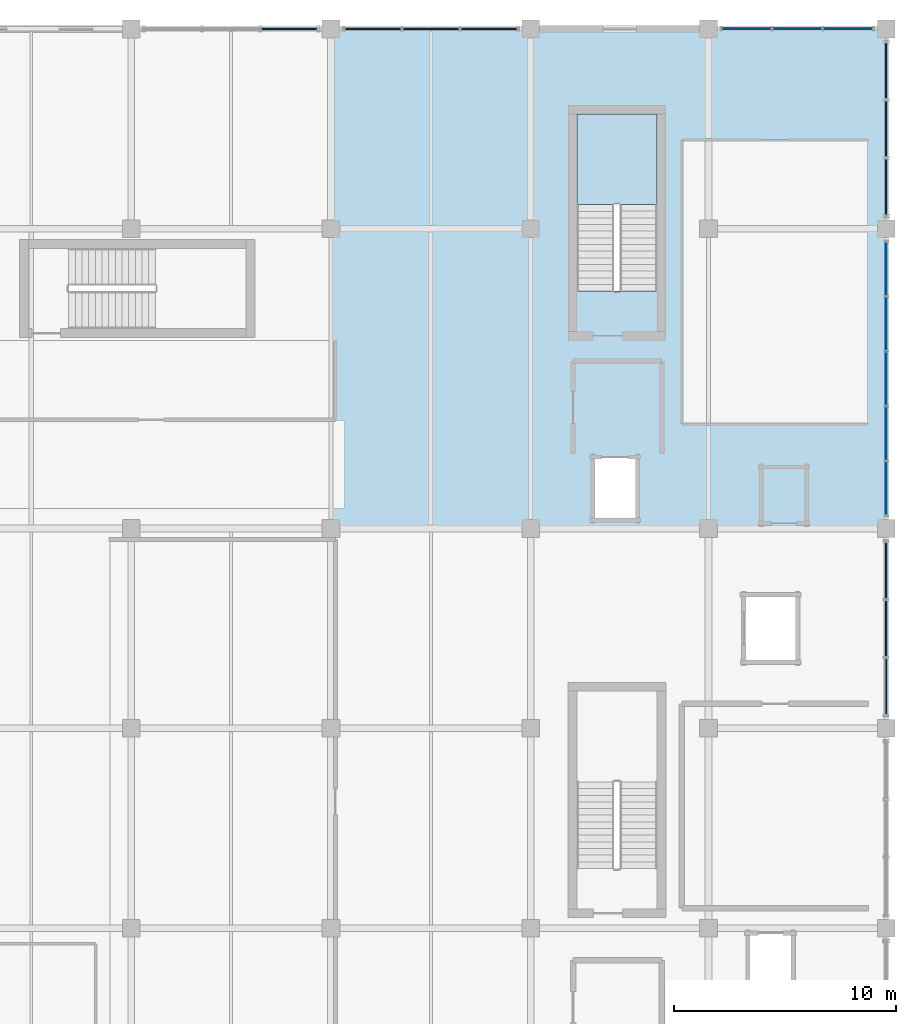
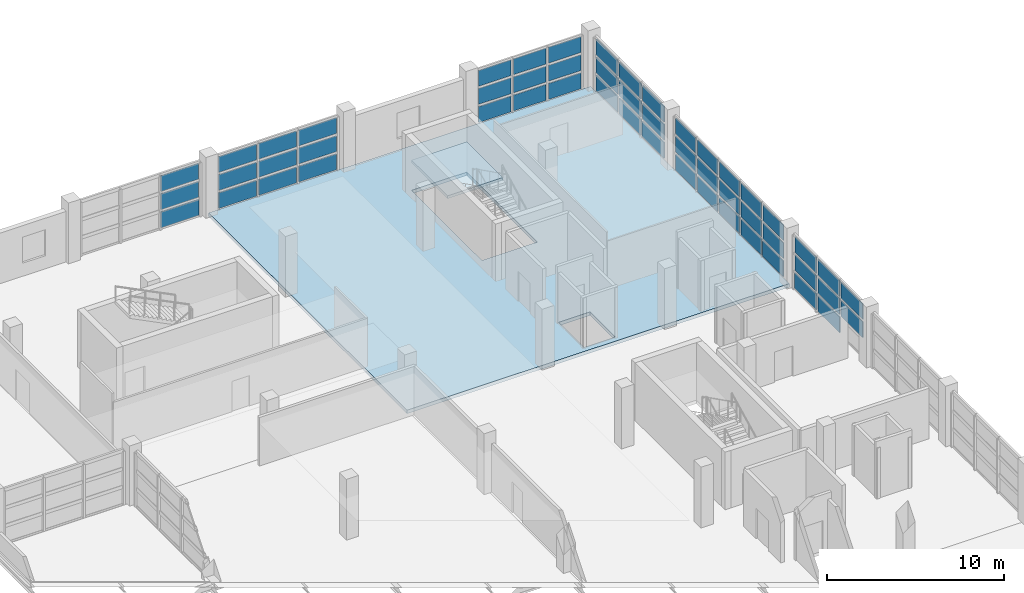
# One storey, part 115 of 136: 53 plates, 2 slabs, 7 elements without a shape of their own.
"""IFC4 building model written with IfcOpenShell, lengths in metres."""

from ifc_helpers import new_model, si_unit, direction, frame, origin, origin_2d, place, context, subcontext, project, spatial, polyline, rectangle, outline, extrude, material, layer, layer_set, type_object, element, aggregate, save


model = new_model("IFC4")

# Units and contexts
model_context = context("Model", 3, precision=1e-05, world=origin(), true_north=direction((0.0, 1.0)))
body_context = subcontext(model_context, "Body", "Model", "MODEL_VIEW")
ifc_project = project(units=[si_unit("LENGTHUNIT", "METRE"), si_unit("AREAUNIT", "SQUARE_METRE"), si_unit("VOLUMEUNIT", "CUBIC_METRE"), si_unit("PLANEANGLEUNIT", "RADIAN"), si_unit("MASSUNIT", "GRAM", prefix="KILO")], contexts=[model_context])

# Site, building, storey
site_placement = place(None, origin())
site = spatial("IfcSite", under=ifc_project, at=site_placement, CompositionType="ELEMENT")
building_placement = place(site_placement, origin())
building = spatial("IfcBuilding", under=site, at=building_placement, Name="Chuanluo Vaults Station", CompositionType="ELEMENT")
storey_placement = place(building_placement, frame((0.0, 0.0, 6.60009765625)))
storey = spatial("IfcBuildingStorey", under=building, at=storey_placement, Name="L01", CompositionType="ELEMENT", Elevation=6.60009765625)

# Curtain wall, plates
ifc_material_1 = material(Name="Anodised aluminium 6063-T6", Category="aluminium")
curtain_wall_type_1 = type_object("IfcCurtainWallType", Name="CW-SYS-23", PredefinedType="NOTDEFINED", material=ifc_material_1)
curtain_wall_1_placement = place(storey_placement, origin())
curtain_wall_1 = element("IfcCurtainWall", 1, at=curtain_wall_1_placement, inside=storey, type_object=curtain_wall_type_1, Name="Operations L01 facade CW", PredefinedType="NOTDEFINED")
ifc_material_2 = material(Name="Ceramic-fritted spandrel glass", Category="glass")
ifc_layer_1 = layer(ifc_material_2, 0.06396484375)
ifc_layer_set_1 = layer_set([ifc_layer_1], Name="Ceramic-fritted spandrel glass")
plate_type_1 = type_object("IfcPlateType", Name="CWP-SPN-42", PredefinedType="SHEET", material=ifc_layer_set_1)
plate_1_placement = place(storey_placement, frame((164.88330078125, 126.0, 0.080078125), z_axis=(0.0, 0.0, 1.0), x_axis=(1.0, 0.0, 0.0)))
plate_1 = element("IfcPlate", 2, at=plate_1_placement, type_object=plate_type_1, Name="Operations L01 facade CW glazed panel 1.1", PredefinedType="SHEET", context=body_context, shape_type="SweptSolid", body=[
    extrude(rectangle(XDim=2.456787109375, YDim=0.06396484375, at=origin_2d()), origin(), (0.0, 0.0, 1.0), 1.090087890625),
])
plate_2_placement = place(storey_placement, frame((167.5, 126.0, 0.080078125), z_axis=(0.0, 0.0, 1.0), x_axis=(1.0, 0.0, 0.0)))
plate_2 = element("IfcPlate", 3, at=plate_2_placement, type_object=plate_type_1, Name="Operations L01 facade CW glazed panel 2.1", PredefinedType="SHEET", context=body_context, shape_type="SweptSolid", body=[
    extrude(rectangle(XDim=2.456787109375, YDim=0.06396484375, at=origin_2d()), origin(), (0.0, 0.0, 1.0), 1.090087890625),
])
plate_3_placement = place(storey_placement, frame((170.11669921875, 126.0, 0.080078125), z_axis=(0.0, 0.0, 1.0), x_axis=(1.0, 0.0, 0.0)))
plate_3 = element("IfcPlate", 4, at=plate_3_placement, type_object=plate_type_1, Name="Operations L01 facade CW glazed panel 3.1", PredefinedType="SHEET", context=body_context, shape_type="SweptSolid", body=[
    extrude(rectangle(XDim=2.456787109375, YDim=0.06396484375, at=origin_2d()), origin(), (0.0, 0.0, 1.0), 1.090087890625),
])

ifc_material_3 = material(Name="Anodised aluminium 6063-T6", Category="aluminium")
curtain_wall_type_2 = type_object("IfcCurtainWallType", Name="CW-SYS-27", PredefinedType="NOTDEFINED", material=ifc_material_3)
curtain_wall_2_placement = place(storey_placement, origin())
curtain_wall_2 = element("IfcCurtainWall", 5, at=curtain_wall_2_placement, inside=storey, type_object=curtain_wall_type_2, Name="Operations L01 facade CW", PredefinedType="NOTDEFINED")
plate_4_placement = place(storey_placement, frame((188.0, 101.61669921875, 0.080078125), z_axis=(0.0, 0.0, 1.0), x_axis=(0.0, -1.0, 0.0)))
plate_4 = element("IfcPlate", 6, at=plate_4_placement, type_object=plate_type_1, Name="Operations L01 facade CW glazed panel 1.1", PredefinedType="SHEET", context=body_context, shape_type="SweptSolid", body=[
    extrude(rectangle(XDim=2.456787109375, YDim=0.06396484375, at=origin_2d()), origin(), (0.0, 0.0, 1.0), 1.090087890625),
])
plate_5_placement = place(storey_placement, frame((188.0, 99.0, 0.080078125), z_axis=(0.0, 0.0, 1.0), x_axis=(0.0, -1.0, 0.0)))
plate_5 = element("IfcPlate", 7, at=plate_5_placement, type_object=plate_type_1, Name="Operations L01 facade CW glazed panel 2.1", PredefinedType="SHEET", context=body_context, shape_type="SweptSolid", body=[
    extrude(rectangle(XDim=2.456787109375, YDim=0.06396484375, at=origin_2d()), origin(), (0.0, 0.0, 1.0), 1.090087890625),
])

ifc_material_4 = material(Name="Anodised aluminium 6063-T6", Category="aluminium")
curtain_wall_type_3 = type_object("IfcCurtainWallType", Name="CW-SYS-01", PredefinedType="NOTDEFINED", material=ifc_material_4)
curtain_wall_3_placement = place(storey_placement, origin())
curtain_wall_3 = element("IfcCurtainWall", 8, at=curtain_wall_3_placement, inside=storey, type_object=curtain_wall_type_3, Name="Operations L01 facade CW", PredefinedType="NOTDEFINED")
plate_6_placement = place(storey_placement, frame((188.0, 124.11669921875, 0.080078125), z_axis=(0.0, 0.0, 1.0), x_axis=(0.0, -1.0, 0.0)))
plate_6 = element("IfcPlate", 9, at=plate_6_placement, type_object=plate_type_1, Name="Operations L01 facade CW glazed panel 1.1", PredefinedType="SHEET", context=body_context, shape_type="SweptSolid", body=[
    extrude(rectangle(XDim=2.456787109375, YDim=0.06396484375, at=origin_2d()), origin(), (0.0, 0.0, 1.0), 1.090087890625),
])
plate_7_placement = place(storey_placement, frame((188.0, 121.5, 0.080078125), z_axis=(0.0, 0.0, 1.0), x_axis=(0.0, -1.0, 0.0)))
plate_7 = element("IfcPlate", 10, at=plate_7_placement, type_object=plate_type_1, Name="Operations L01 facade CW glazed panel 2.1", PredefinedType="SHEET", context=body_context, shape_type="SweptSolid", body=[
    extrude(rectangle(XDim=2.456787109375, YDim=0.06396484375, at=origin_2d()), origin(), (0.0, 0.0, 1.0), 1.090087890625),
])
plate_8_placement = place(storey_placement, frame((188.0, 118.88330078125, 0.080078125), z_axis=(0.0, 0.0, 1.0), x_axis=(0.0, -1.0, 0.0)))
plate_8 = element("IfcPlate", 11, at=plate_8_placement, type_object=plate_type_1, Name="Operations L01 facade CW glazed panel 3.1", PredefinedType="SHEET", context=body_context, shape_type="SweptSolid", body=[
    extrude(rectangle(XDim=2.456787109375, YDim=0.06396484375, at=origin_2d()), origin(), (0.0, 0.0, 1.0), 1.090087890625),
])

# Curtain wall, plate
ifc_material_5 = material(Name="Anodised aluminium 6063-T6", Category="aluminium")
curtain_wall_type_4 = type_object("IfcCurtainWallType", Name="CW-SYS-22", PredefinedType="NOTDEFINED", material=ifc_material_5)
curtain_wall_4_placement = place(storey_placement, origin())
curtain_wall_4 = element("IfcCurtainWall", 12, at=curtain_wall_4_placement, inside=storey, type_object=curtain_wall_type_4, Name="Operations L01 facade CW", PredefinedType="NOTDEFINED")
ifc_material_6 = material(Name="Ceramic-fritted spandrel glass", Category="glass")
ifc_layer_2 = layer(ifc_material_6, 0.070068359375)
ifc_layer_set_2 = layer_set([ifc_layer_2], Name="Ceramic-fritted spandrel glass")
plate_type_2 = type_object("IfcPlateType", Name="CWP-SPN-50", PredefinedType="SHEET", material=ifc_layer_set_2)
plate_9_placement = place(storey_placement, frame((161.11669921875, 126.0, 0.080078125), z_axis=(0.0, 0.0, 1.0), x_axis=(1.0, 0.0, 0.0)))
plate_9 = element("IfcPlate", 13, at=plate_9_placement, type_object=plate_type_2, Name="Operations L01 facade CW glazed panel 3.1", PredefinedType="SHEET", context=body_context, shape_type="SweptSolid", body=[
    extrude(rectangle(XDim=2.456787109375, YDim=0.070068359375, at=origin_2d()), origin(), (0.0, 0.0, 1.0), 1.090087890625),
])

# Curtain wall, plates
ifc_material_7 = material(Name="Anodised aluminium 6063-T6", Category="aluminium")
curtain_wall_type_5 = type_object("IfcCurtainWallType", Name="CW-SYS-24", PredefinedType="NOTDEFINED", material=ifc_material_7)
curtain_wall_5_placement = place(storey_placement, origin())
curtain_wall_5 = element("IfcCurtainWall", 14, at=curtain_wall_5_placement, inside=storey, type_object=curtain_wall_type_5, Name="Operations L01 facade CW", PredefinedType="NOTDEFINED")
plate_10_placement = place(storey_placement, frame((181.716796875, 126.0, 0.080078125), z_axis=(0.0, 0.0, 1.0), x_axis=(1.0, 0.0, 0.0)))
plate_10 = element("IfcPlate", 15, at=plate_10_placement, type_object=plate_type_2, Name="Operations L01 facade CW glazed panel 1.1", PredefinedType="SHEET", context=body_context, shape_type="SweptSolid", body=[
    extrude(rectangle(XDim=2.123291015625, YDim=0.070068359375, at=origin_2d()), origin(), (0.0, 0.0, 1.0), 1.090087890625),
])
plate_11_placement = place(storey_placement, frame((184.0, 126.0, 0.080078125), z_axis=(0.0, 0.0, 1.0), x_axis=(1.0, 0.0, 0.0)))
plate_11 = element("IfcPlate", 16, at=plate_11_placement, type_object=plate_type_2, Name="Operations L01 facade CW glazed panel 2.1", PredefinedType="SHEET", context=body_context, shape_type="SweptSolid", body=[
    extrude(rectangle(XDim=2.123291015625, YDim=0.070068359375, at=origin_2d()), origin(), (0.0, 0.0, 1.0), 1.090087890625),
])
plate_12_placement = place(storey_placement, frame((186.283203125, 126.0, 0.080078125), z_axis=(0.0, 0.0, 1.0), x_axis=(1.0, 0.0, 0.0)))
plate_12 = element("IfcPlate", 17, at=plate_12_placement, type_object=plate_type_2, Name="Operations L01 facade CW glazed panel 3.1", PredefinedType="SHEET", context=body_context, shape_type="SweptSolid", body=[
    extrude(rectangle(XDim=2.123291015625, YDim=0.070068359375, at=origin_2d()), origin(), (0.0, 0.0, 1.0), 1.090087890625),
])

ifc_material_8 = material(Name="Anodised aluminium 6063-T6", Category="aluminium")
curtain_wall_type_6 = type_object("IfcCurtainWallType", Name="CW-SYS-28", PredefinedType="NOTDEFINED", material=ifc_material_8)
curtain_wall_6_placement = place(storey_placement, origin())
curtain_wall_6 = element("IfcCurtainWall", 18, at=curtain_wall_6_placement, inside=storey, type_object=curtain_wall_type_6, Name="Operations L01 facade CW", PredefinedType="NOTDEFINED")
plate_13_placement = place(storey_placement, frame((188.0, 115.18994140625, 0.080078125), z_axis=(0.0, 0.0, 1.0), x_axis=(0.0, -1.0, 0.0)))
plate_13 = element("IfcPlate", 19, at=plate_13_placement, type_object=plate_type_2, Name="Operations L01 facade CW glazed panel 1.1", PredefinedType="SHEET", context=body_context, shape_type="SweptSolid", body=[
    extrude(rectangle(XDim=2.31005859375, YDim=0.070068359375, at=origin_2d()), origin(), (0.0, 0.0, 1.0), 1.090087890625),
])
plate_14_placement = place(storey_placement, frame((188.0, 112.719970703125, 0.080078125), z_axis=(0.0, 0.0, 1.0), x_axis=(0.0, -1.0, 0.0)))
plate_14 = element("IfcPlate", 20, at=plate_14_placement, type_object=plate_type_2, Name="Operations L01 facade CW glazed panel 2.1", PredefinedType="SHEET", context=body_context, shape_type="SweptSolid", body=[
    extrude(rectangle(XDim=2.31005859375, YDim=0.070068359375, at=origin_2d()), origin(), (0.0, 0.0, 1.0), 1.090087890625),
])
plate_15_placement = place(storey_placement, frame((188.0, 110.25, 0.080078125), z_axis=(0.0, 0.0, 1.0), x_axis=(0.0, -1.0, 0.0)))
plate_15 = element("IfcPlate", 21, at=plate_15_placement, type_object=plate_type_2, Name="Operations L01 facade CW glazed panel 3.1", PredefinedType="SHEET", context=body_context, shape_type="SweptSolid", body=[
    extrude(rectangle(XDim=2.31005859375, YDim=0.070068359375, at=origin_2d()), origin(), (0.0, 0.0, 1.0), 1.090087890625),
])
plate_16_placement = place(storey_placement, frame((188.0, 107.780029296875, 0.080078125), z_axis=(0.0, 0.0, 1.0), x_axis=(0.0, -1.0, 0.0)))
plate_16 = element("IfcPlate", 22, at=plate_16_placement, type_object=plate_type_2, Name="Operations L01 facade CW glazed panel 4.1", PredefinedType="SHEET", context=body_context, shape_type="SweptSolid", body=[
    extrude(rectangle(XDim=2.31005859375, YDim=0.070068359375, at=origin_2d()), origin(), (0.0, 0.0, 1.0), 1.090087890625),
])
plate_17_placement = place(storey_placement, frame((188.0, 105.31005859375, 0.080078125), z_axis=(0.0, 0.0, 1.0), x_axis=(0.0, -1.0, 0.0)))
plate_17 = element("IfcPlate", 23, at=plate_17_placement, type_object=plate_type_2, Name="Operations L01 facade CW glazed panel 5.1", PredefinedType="SHEET", context=body_context, shape_type="SweptSolid", body=[
    extrude(rectangle(XDim=2.31005859375, YDim=0.070068359375, at=origin_2d()), origin(), (0.0, 0.0, 1.0), 1.090087890625),
])

# Plate
ifc_material_9 = material(Name="Double-silver Low-E laminated glass", Category="glass")
ifc_layer_3 = layer(ifc_material_9, 0.0439453125)
ifc_layer_set_3 = layer_set([ifc_layer_3], Name="Double-silver Low-E laminated glass")
plate_type_3 = type_object("IfcPlateType", Name="CWP-VIS-28", PredefinedType="CURTAIN_PANEL", material=ifc_layer_set_3)
plate_18_placement = place(storey_placement, frame((181.716796875, 126.0, 1.330078125), z_axis=(0.0, 0.0, 1.0), x_axis=(1.0, 0.0, 0.0)))
plate_18 = element("IfcPlate", 24, at=plate_18_placement, type_object=plate_type_3, Name="Operations L01 facade CW glazed panel 1.2", PredefinedType="CURTAIN_PANEL", context=body_context, shape_type="SweptSolid", body=[
    extrude(rectangle(XDim=2.123291015625, YDim=0.0439453125, at=origin_2d()), origin(), (0.0, 0.0, 1.0), 1.090087890625),
])

plate_19_placement = place(storey_placement, frame((181.716796875, 126.0, 2.580078125), z_axis=(0.0, 0.0, 1.0), x_axis=(1.0, 0.0, 0.0)))
plate_19 = element("IfcPlate", 25, at=plate_19_placement, type_object=plate_type_3, Name="Operations L01 facade CW glazed panel 1.3", PredefinedType="CURTAIN_PANEL", context=body_context, shape_type="SweptSolid", body=[
    extrude(rectangle(XDim=2.123291015625, YDim=0.0439453125, at=origin_2d()), origin(), (0.0, 0.0, 1.0), 1.090087890625),
])

plate_20_placement = place(storey_placement, frame((184.0, 126.0, 1.330078125), z_axis=(0.0, 0.0, 1.0), x_axis=(1.0, 0.0, 0.0)))
plate_20 = element("IfcPlate", 26, at=plate_20_placement, type_object=plate_type_3, Name="Operations L01 facade CW glazed panel 2.2", PredefinedType="CURTAIN_PANEL", context=body_context, shape_type="SweptSolid", body=[
    extrude(rectangle(XDim=2.123291015625, YDim=0.0439453125, at=origin_2d()), origin(), (0.0, 0.0, 1.0), 1.090087890625),
])

plate_21_placement = place(storey_placement, frame((184.0, 126.0, 2.580078125), z_axis=(0.0, 0.0, 1.0), x_axis=(1.0, 0.0, 0.0)))
plate_21 = element("IfcPlate", 27, at=plate_21_placement, type_object=plate_type_3, Name="Operations L01 facade CW glazed panel 2.3", PredefinedType="CURTAIN_PANEL", context=body_context, shape_type="SweptSolid", body=[
    extrude(rectangle(XDim=2.123291015625, YDim=0.0439453125, at=origin_2d()), origin(), (0.0, 0.0, 1.0), 1.090087890625),
])

plate_22_placement = place(storey_placement, frame((186.283203125, 126.0, 1.330078125), z_axis=(0.0, 0.0, 1.0), x_axis=(1.0, 0.0, 0.0)))
plate_22 = element("IfcPlate", 28, at=plate_22_placement, type_object=plate_type_3, Name="Operations L01 facade CW glazed panel 3.2", PredefinedType="CURTAIN_PANEL", context=body_context, shape_type="SweptSolid", body=[
    extrude(rectangle(XDim=2.123291015625, YDim=0.0439453125, at=origin_2d()), origin(), (0.0, 0.0, 1.0), 1.090087890625),
])

plate_23_placement = place(storey_placement, frame((186.283203125, 126.0, 2.580078125), z_axis=(0.0, 0.0, 1.0), x_axis=(1.0, 0.0, 0.0)))
plate_23 = element("IfcPlate", 29, at=plate_23_placement, type_object=plate_type_3, Name="Operations L01 facade CW glazed panel 3.3", PredefinedType="CURTAIN_PANEL", context=body_context, shape_type="SweptSolid", body=[
    extrude(rectangle(XDim=2.123291015625, YDim=0.0439453125, at=origin_2d()), origin(), (0.0, 0.0, 1.0), 1.090087890625),
])

aggregate(curtain_wall_5, [plate_10, plate_18, plate_19, plate_11, plate_20, plate_21, plate_12, plate_22, plate_23])

plate_24_placement = place(storey_placement, frame((188.0, 115.18994140625, 1.330078125), z_axis=(0.0, 0.0, 1.0), x_axis=(0.0, -1.0, 0.0)))
plate_24 = element("IfcPlate", 30, at=plate_24_placement, type_object=plate_type_3, Name="Operations L01 facade CW glazed panel 1.2", PredefinedType="CURTAIN_PANEL", context=body_context, shape_type="SweptSolid", body=[
    extrude(rectangle(XDim=2.31005859375, YDim=0.0439453125, at=origin_2d()), origin(), (0.0, 0.0, 1.0), 1.090087890625),
])

plate_25_placement = place(storey_placement, frame((188.0, 115.18994140625, 2.580078125), z_axis=(0.0, 0.0, 1.0), x_axis=(0.0, -1.0, 0.0)))
plate_25 = element("IfcPlate", 31, at=plate_25_placement, type_object=plate_type_3, Name="Operations L01 facade CW glazed panel 1.3", PredefinedType="CURTAIN_PANEL", context=body_context, shape_type="SweptSolid", body=[
    extrude(rectangle(XDim=2.31005859375, YDim=0.0439453125, at=origin_2d()), origin(), (0.0, 0.0, 1.0), 1.090087890625),
])

plate_26_placement = place(storey_placement, frame((188.0, 112.719970703125, 1.330078125), z_axis=(0.0, 0.0, 1.0), x_axis=(0.0, -1.0, 0.0)))
plate_26 = element("IfcPlate", 32, at=plate_26_placement, type_object=plate_type_3, Name="Operations L01 facade CW glazed panel 2.2", PredefinedType="CURTAIN_PANEL", context=body_context, shape_type="SweptSolid", body=[
    extrude(rectangle(XDim=2.31005859375, YDim=0.0439453125, at=origin_2d()), origin(), (0.0, 0.0, 1.0), 1.090087890625),
])

plate_27_placement = place(storey_placement, frame((188.0, 112.719970703125, 2.580078125), z_axis=(0.0, 0.0, 1.0), x_axis=(0.0, -1.0, 0.0)))
plate_27 = element("IfcPlate", 33, at=plate_27_placement, type_object=plate_type_3, Name="Operations L01 facade CW glazed panel 2.3", PredefinedType="CURTAIN_PANEL", context=body_context, shape_type="SweptSolid", body=[
    extrude(rectangle(XDim=2.31005859375, YDim=0.0439453125, at=origin_2d()), origin(), (0.0, 0.0, 1.0), 1.090087890625),
])

plate_28_placement = place(storey_placement, frame((188.0, 110.25, 1.330078125), z_axis=(0.0, 0.0, 1.0), x_axis=(0.0, -1.0, 0.0)))
plate_28 = element("IfcPlate", 34, at=plate_28_placement, type_object=plate_type_3, Name="Operations L01 facade CW glazed panel 3.2", PredefinedType="CURTAIN_PANEL", context=body_context, shape_type="SweptSolid", body=[
    extrude(rectangle(XDim=2.31005859375, YDim=0.0439453125, at=origin_2d()), origin(), (0.0, 0.0, 1.0), 1.090087890625),
])

plate_29_placement = place(storey_placement, frame((188.0, 110.25, 2.580078125), z_axis=(0.0, 0.0, 1.0), x_axis=(0.0, -1.0, 0.0)))
plate_29 = element("IfcPlate", 35, at=plate_29_placement, type_object=plate_type_3, Name="Operations L01 facade CW glazed panel 3.3", PredefinedType="CURTAIN_PANEL", context=body_context, shape_type="SweptSolid", body=[
    extrude(rectangle(XDim=2.31005859375, YDim=0.0439453125, at=origin_2d()), origin(), (0.0, 0.0, 1.0), 1.090087890625),
])

plate_30_placement = place(storey_placement, frame((188.0, 107.780029296875, 1.330078125), z_axis=(0.0, 0.0, 1.0), x_axis=(0.0, -1.0, 0.0)))
plate_30 = element("IfcPlate", 36, at=plate_30_placement, type_object=plate_type_3, Name="Operations L01 facade CW glazed panel 4.2", PredefinedType="CURTAIN_PANEL", context=body_context, shape_type="SweptSolid", body=[
    extrude(rectangle(XDim=2.31005859375, YDim=0.0439453125, at=origin_2d()), origin(), (0.0, 0.0, 1.0), 1.090087890625),
])

plate_31_placement = place(storey_placement, frame((188.0, 107.780029296875, 2.580078125), z_axis=(0.0, 0.0, 1.0), x_axis=(0.0, -1.0, 0.0)))
plate_31 = element("IfcPlate", 37, at=plate_31_placement, type_object=plate_type_3, Name="Operations L01 facade CW glazed panel 4.3", PredefinedType="CURTAIN_PANEL", context=body_context, shape_type="SweptSolid", body=[
    extrude(rectangle(XDim=2.31005859375, YDim=0.0439453125, at=origin_2d()), origin(), (0.0, 0.0, 1.0), 1.090087890625),
])

plate_32_placement = place(storey_placement, frame((188.0, 105.31005859375, 1.330078125), z_axis=(0.0, 0.0, 1.0), x_axis=(0.0, -1.0, 0.0)))
plate_32 = element("IfcPlate", 38, at=plate_32_placement, type_object=plate_type_3, Name="Operations L01 facade CW glazed panel 5.2", PredefinedType="CURTAIN_PANEL", context=body_context, shape_type="SweptSolid", body=[
    extrude(rectangle(XDim=2.31005859375, YDim=0.0439453125, at=origin_2d()), origin(), (0.0, 0.0, 1.0), 1.090087890625),
])

plate_33_placement = place(storey_placement, frame((188.0, 105.31005859375, 2.580078125), z_axis=(0.0, 0.0, 1.0), x_axis=(0.0, -1.0, 0.0)))
plate_33 = element("IfcPlate", 39, at=plate_33_placement, type_object=plate_type_3, Name="Operations L01 facade CW glazed panel 5.3", PredefinedType="CURTAIN_PANEL", context=body_context, shape_type="SweptSolid", body=[
    extrude(rectangle(XDim=2.31005859375, YDim=0.0439453125, at=origin_2d()), origin(), (0.0, 0.0, 1.0), 1.090087890625),
])

aggregate(curtain_wall_6, [plate_13, plate_24, plate_25, plate_14, plate_26, plate_27, plate_15, plate_28, plate_29, plate_16, plate_30, plate_31, plate_17, plate_32, plate_33])

ifc_material_10 = material(Name="Double-silver Low-E laminated glass", Category="glass")
ifc_layer_4 = layer(ifc_material_10, 0.048095703125)
ifc_layer_set_4 = layer_set([ifc_layer_4], Name="Double-silver Low-E laminated glass")
plate_type_4 = type_object("IfcPlateType", Name="CWP-VIS-32", PredefinedType="CURTAIN_PANEL", material=ifc_layer_set_4)
plate_34_placement = place(storey_placement, frame((164.88330078125, 126.0, 1.330078125), z_axis=(0.0, 0.0, 1.0), x_axis=(1.0, 0.0, 0.0)))
plate_34 = element("IfcPlate", 40, at=plate_34_placement, type_object=plate_type_4, Name="Operations L01 facade CW glazed panel 1.2", PredefinedType="CURTAIN_PANEL", context=body_context, shape_type="SweptSolid", body=[
    extrude(rectangle(XDim=2.456787109375, YDim=0.048095703125, at=origin_2d()), origin(), (0.0, 0.0, 1.0), 1.090087890625),
])

plate_35_placement = place(storey_placement, frame((164.88330078125, 126.0, 2.580078125), z_axis=(0.0, 0.0, 1.0), x_axis=(1.0, 0.0, 0.0)))
plate_35 = element("IfcPlate", 41, at=plate_35_placement, type_object=plate_type_4, Name="Operations L01 facade CW glazed panel 1.3", PredefinedType="CURTAIN_PANEL", context=body_context, shape_type="SweptSolid", body=[
    extrude(rectangle(XDim=2.456787109375, YDim=0.048095703125, at=origin_2d()), origin(), (0.0, 0.0, 1.0), 1.090087890625),
])

plate_36_placement = place(storey_placement, frame((167.5, 126.0, 1.330078125), z_axis=(0.0, 0.0, 1.0), x_axis=(1.0, 0.0, 0.0)))
plate_36 = element("IfcPlate", 42, at=plate_36_placement, type_object=plate_type_4, Name="Operations L01 facade CW glazed panel 2.2", PredefinedType="CURTAIN_PANEL", context=body_context, shape_type="SweptSolid", body=[
    extrude(rectangle(XDim=2.456787109375, YDim=0.048095703125, at=origin_2d()), origin(), (0.0, 0.0, 1.0), 1.090087890625),
])

plate_37_placement = place(storey_placement, frame((167.5, 126.0, 2.580078125), z_axis=(0.0, 0.0, 1.0), x_axis=(1.0, 0.0, 0.0)))
plate_37 = element("IfcPlate", 43, at=plate_37_placement, type_object=plate_type_4, Name="Operations L01 facade CW glazed panel 2.3", PredefinedType="CURTAIN_PANEL", context=body_context, shape_type="SweptSolid", body=[
    extrude(rectangle(XDim=2.456787109375, YDim=0.048095703125, at=origin_2d()), origin(), (0.0, 0.0, 1.0), 1.090087890625),
])

plate_38_placement = place(storey_placement, frame((170.11669921875, 126.0, 1.330078125), z_axis=(0.0, 0.0, 1.0), x_axis=(1.0, 0.0, 0.0)))
plate_38 = element("IfcPlate", 44, at=plate_38_placement, type_object=plate_type_4, Name="Operations L01 facade CW glazed panel 3.2", PredefinedType="CURTAIN_PANEL", context=body_context, shape_type="SweptSolid", body=[
    extrude(rectangle(XDim=2.456787109375, YDim=0.048095703125, at=origin_2d()), origin(), (0.0, 0.0, 1.0), 1.090087890625),
])

plate_39_placement = place(storey_placement, frame((170.11669921875, 126.0, 2.580078125), z_axis=(0.0, 0.0, 1.0), x_axis=(1.0, 0.0, 0.0)))
plate_39 = element("IfcPlate", 45, at=plate_39_placement, type_object=plate_type_4, Name="Operations L01 facade CW glazed panel 3.3", PredefinedType="CURTAIN_PANEL", context=body_context, shape_type="SweptSolid", body=[
    extrude(rectangle(XDim=2.456787109375, YDim=0.048095703125, at=origin_2d()), origin(), (0.0, 0.0, 1.0), 1.090087890625),
])

aggregate(curtain_wall_1, [plate_1, plate_34, plate_35, plate_2, plate_36, plate_37, plate_3, plate_38, plate_39])

plate_40_placement = place(storey_placement, frame((188.0, 101.61669921875, 1.330078125), z_axis=(0.0, 0.0, 1.0), x_axis=(0.0, -1.0, 0.0)))
plate_40 = element("IfcPlate", 46, at=plate_40_placement, type_object=plate_type_4, Name="Operations L01 facade CW glazed panel 1.2", PredefinedType="CURTAIN_PANEL", context=body_context, shape_type="SweptSolid", body=[
    extrude(rectangle(XDim=2.456787109375, YDim=0.048095703125, at=origin_2d()), origin(), (0.0, 0.0, 1.0), 1.090087890625),
])

plate_41_placement = place(storey_placement, frame((188.0, 101.61669921875, 2.580078125), z_axis=(0.0, 0.0, 1.0), x_axis=(0.0, -1.0, 0.0)))
plate_41 = element("IfcPlate", 47, at=plate_41_placement, type_object=plate_type_4, Name="Operations L01 facade CW glazed panel 1.3", PredefinedType="CURTAIN_PANEL", context=body_context, shape_type="SweptSolid", body=[
    extrude(rectangle(XDim=2.456787109375, YDim=0.048095703125, at=origin_2d()), origin(), (0.0, 0.0, 1.0), 1.090087890625),
])

plate_42_placement = place(storey_placement, frame((188.0, 99.0, 1.330078125), z_axis=(0.0, 0.0, 1.0), x_axis=(0.0, -1.0, 0.0)))
plate_42 = element("IfcPlate", 48, at=plate_42_placement, type_object=plate_type_4, Name="Operations L01 facade CW glazed panel 2.2", PredefinedType="CURTAIN_PANEL", context=body_context, shape_type="SweptSolid", body=[
    extrude(rectangle(XDim=2.456787109375, YDim=0.048095703125, at=origin_2d()), origin(), (0.0, 0.0, 1.0), 1.090087890625),
])

plate_43_placement = place(storey_placement, frame((188.0, 99.0, 2.580078125), z_axis=(0.0, 0.0, 1.0), x_axis=(0.0, -1.0, 0.0)))
plate_43 = element("IfcPlate", 49, at=plate_43_placement, type_object=plate_type_4, Name="Operations L01 facade CW glazed panel 2.3", PredefinedType="CURTAIN_PANEL", context=body_context, shape_type="SweptSolid", body=[
    extrude(rectangle(XDim=2.456787109375, YDim=0.048095703125, at=origin_2d()), origin(), (0.0, 0.0, 1.0), 1.090087890625),
])

plate_44_placement = place(storey_placement, frame((188.0, 96.38330078125, 1.330078125), z_axis=(0.0, 0.0, 1.0), x_axis=(0.0, -1.0, 0.0)))
plate_44 = element("IfcPlate", 50, at=plate_44_placement, type_object=plate_type_4, Name="Operations L01 facade CW glazed panel 3.2", PredefinedType="CURTAIN_PANEL", context=body_context, shape_type="SweptSolid", body=[
    extrude(rectangle(XDim=2.456787109375, YDim=0.048095703125, at=origin_2d()), origin(), (0.0, 0.0, 1.0), 1.090087890625),
])

plate_45_placement = place(storey_placement, frame((188.0, 96.38330078125, 2.580078125), z_axis=(0.0, 0.0, 1.0), x_axis=(0.0, -1.0, 0.0)))
plate_45 = element("IfcPlate", 51, at=plate_45_placement, type_object=plate_type_4, Name="Operations L01 facade CW glazed panel 3.3", PredefinedType="CURTAIN_PANEL", context=body_context, shape_type="SweptSolid", body=[
    extrude(rectangle(XDim=2.456787109375, YDim=0.048095703125, at=origin_2d()), origin(), (0.0, 0.0, 1.0), 1.090087890625),
])

aggregate(curtain_wall_2, [plate_4, plate_40, plate_41, plate_5, plate_42, plate_43, plate_44, plate_45])

ifc_material_11 = material(Name="Double-silver Low-E laminated glass", Category="glass")
ifc_layer_5 = layer(ifc_material_11, 0.053955078125)
ifc_layer_set_5 = layer_set([ifc_layer_5], Name="Double-silver Low-E laminated glass")
plate_type_5 = type_object("IfcPlateType", Name="CWP-VIS-36", PredefinedType="CURTAIN_PANEL", material=ifc_layer_set_5)
plate_46_placement = place(storey_placement, frame((161.11669921875, 126.0, 1.330078125), z_axis=(0.0, 0.0, 1.0), x_axis=(1.0, 0.0, 0.0)))
plate_46 = element("IfcPlate", 52, at=plate_46_placement, type_object=plate_type_5, Name="Operations L01 facade CW glazed panel 3.2", PredefinedType="CURTAIN_PANEL", context=body_context, shape_type="SweptSolid", body=[
    extrude(rectangle(XDim=2.456787109375, YDim=0.053955078125, at=origin_2d()), origin(), (0.0, 0.0, 1.0), 1.090087890625),
])

plate_47_placement = place(storey_placement, frame((161.11669921875, 126.0, 2.580078125), z_axis=(0.0, 0.0, 1.0), x_axis=(1.0, 0.0, 0.0)))
plate_47 = element("IfcPlate", 53, at=plate_47_placement, type_object=plate_type_5, Name="Operations L01 facade CW glazed panel 3.3", PredefinedType="CURTAIN_PANEL", context=body_context, shape_type="SweptSolid", body=[
    extrude(rectangle(XDim=2.456787109375, YDim=0.053955078125, at=origin_2d()), origin(), (0.0, 0.0, 1.0), 1.090087890625),
])

aggregate(curtain_wall_4, [plate_9, plate_46, plate_47])

ifc_material_12 = material(Name="Double-silver Low-E laminated glass", Category="glass")
ifc_layer_6 = layer(ifc_material_12, 0.05810546875)
ifc_layer_set_6 = layer_set([ifc_layer_6], Name="Double-silver Low-E laminated glass")
plate_type_6 = type_object("IfcPlateType", Name="CWP-VIS-38", PredefinedType="CURTAIN_PANEL", material=ifc_layer_set_6)
plate_48_placement = place(storey_placement, frame((188.0, 124.11669921875, 1.330078125), z_axis=(0.0, 0.0, 1.0), x_axis=(0.0, -1.0, 0.0)))
plate_48 = element("IfcPlate", 54, at=plate_48_placement, type_object=plate_type_6, Name="Operations L01 facade CW glazed panel 1.2", PredefinedType="CURTAIN_PANEL", context=body_context, shape_type="SweptSolid", body=[
    extrude(rectangle(XDim=2.456787109375, YDim=0.05810546875, at=origin_2d()), origin(), (0.0, 0.0, 1.0), 1.090087890625),
])

plate_49_placement = place(storey_placement, frame((188.0, 124.11669921875, 2.580078125), z_axis=(0.0, 0.0, 1.0), x_axis=(0.0, -1.0, 0.0)))
plate_49 = element("IfcPlate", 55, at=plate_49_placement, type_object=plate_type_6, Name="Operations L01 facade CW glazed panel 1.3", PredefinedType="CURTAIN_PANEL", context=body_context, shape_type="SweptSolid", body=[
    extrude(rectangle(XDim=2.456787109375, YDim=0.05810546875, at=origin_2d()), origin(), (0.0, 0.0, 1.0), 1.090087890625),
])

plate_50_placement = place(storey_placement, frame((188.0, 121.5, 1.330078125), z_axis=(0.0, 0.0, 1.0), x_axis=(0.0, -1.0, 0.0)))
plate_50 = element("IfcPlate", 56, at=plate_50_placement, type_object=plate_type_6, Name="Operations L01 facade CW glazed panel 2.2", PredefinedType="CURTAIN_PANEL", context=body_context, shape_type="SweptSolid", body=[
    extrude(rectangle(XDim=2.456787109375, YDim=0.05810546875, at=origin_2d()), origin(), (0.0, 0.0, 1.0), 1.090087890625),
])

plate_51_placement = place(storey_placement, frame((188.0, 121.5, 2.580078125), z_axis=(0.0, 0.0, 1.0), x_axis=(0.0, -1.0, 0.0)))
plate_51 = element("IfcPlate", 57, at=plate_51_placement, type_object=plate_type_6, Name="Operations L01 facade CW glazed panel 2.3", PredefinedType="CURTAIN_PANEL", context=body_context, shape_type="SweptSolid", body=[
    extrude(rectangle(XDim=2.456787109375, YDim=0.05810546875, at=origin_2d()), origin(), (0.0, 0.0, 1.0), 1.090087890625),
])

plate_52_placement = place(storey_placement, frame((188.0, 118.88330078125, 1.330078125), z_axis=(0.0, 0.0, 1.0), x_axis=(0.0, -1.0, 0.0)))
plate_52 = element("IfcPlate", 58, at=plate_52_placement, type_object=plate_type_6, Name="Operations L01 facade CW glazed panel 3.2", PredefinedType="CURTAIN_PANEL", context=body_context, shape_type="SweptSolid", body=[
    extrude(rectangle(XDim=2.456787109375, YDim=0.05810546875, at=origin_2d()), origin(), (0.0, 0.0, 1.0), 1.090087890625),
])

plate_53_placement = place(storey_placement, frame((188.0, 118.88330078125, 2.580078125), z_axis=(0.0, 0.0, 1.0), x_axis=(0.0, -1.0, 0.0)))
plate_53 = element("IfcPlate", 59, at=plate_53_placement, type_object=plate_type_6, Name="Operations L01 facade CW glazed panel 3.3", PredefinedType="CURTAIN_PANEL", context=body_context, shape_type="SweptSolid", body=[
    extrude(rectangle(XDim=2.456787109375, YDim=0.05810546875, at=origin_2d()), origin(), (0.0, 0.0, 1.0), 1.090087890625),
])

aggregate(curtain_wall_3, [plate_6, plate_48, plate_49, plate_7, plate_50, plate_51, plate_8, plate_52, plate_53])

# Stair, slab
ifc_material_13 = material(Name="Concrete C40", Category="concrete")
stair_type = type_object("IfcStairType", Name="STR-TWO-1600", PredefinedType="HALF_TURN_STAIR", material=ifc_material_13)
stair_placement = place(storey_placement, origin())
stair = element("IfcStair", 60, at=stair_placement, inside=storey, type_object=stair_type, Name="L01 ST-02", PredefinedType="HALF_TURN_STAIR")
ifc_material_14 = material(Name="Concrete C40", Category="concrete")
ifc_layer_7 = layer(ifc_material_14, 0.199951171875)
ifc_layer_set_7 = layer_set([ifc_layer_7], Name="Concrete C40")
slab_type_1 = type_object("IfcSlabType", Name="SLB-LND-200", PredefinedType="LANDING", material=ifc_layer_set_7)
slab_1_placement = place(storey_placement, frame((0.0, 0.0, 1.89990234375)))
slab_1 = element("IfcSlab", 61, at=slab_1_placement, type_object=slab_type_1, Name="ST-02 landing 1", PredefinedType="LANDING", context=body_context, shape_type="SweptSolid", body=[
    extrude(outline(polyline([(177.6875, 118.08740234375), (177.6875, 122.172607421875), (174.0673828125, 122.172607421875), (174.0673828125, 118.08740234375), (177.6875, 118.08740234375)])), origin(), (0.0, 0.0, 1.0), 0.199951171875),
])
aggregate(stair, [slab_1])

# Slab
ifc_material_15 = material(Name="Concrete C40", Category="concrete")
ifc_layer_8 = layer(ifc_material_15, 0.239990234375)
ifc_layer_set_8 = layer_set([ifc_layer_8], Name="Concrete C40")
slab_type_2 = type_object("IfcSlabType", Name="SLB-OPS-240", PredefinedType="FLOOR", material=ifc_layer_set_8)
slab_2_placement = place(storey_placement, frame((0.0, 0.0, -0.239990234375)))
element("IfcSlab", 62, at=slab_2_placement, inside=storey, type_object=slab_type_2, Name="L01 OPS slab 06", PredefinedType="FLOOR", context=body_context, shape_type="SweptSolid", body=[
    extrude(outline(polyline([(163.0, 103.5), (188.0, 103.5), (188.0, 126.0), (163.0, 126.0), (163.0, 103.5)]), holes=[polyline([(177.6875, 114.19140625), (177.6875, 122.172607421875), (174.0673828125, 122.172607421875), (174.0673828125, 114.19140625), (177.6875, 114.19140625)]), polyline([(174.780029296875, 103.8798828125), (176.820068359375, 103.8798828125), (176.820068359375, 106.719970703125), (174.780029296875, 106.719970703125), (174.780029296875, 103.8798828125)])]), origin(), (0.0, 0.0, 1.0), 0.239990234375),
])

save(model, "model.ifc")
